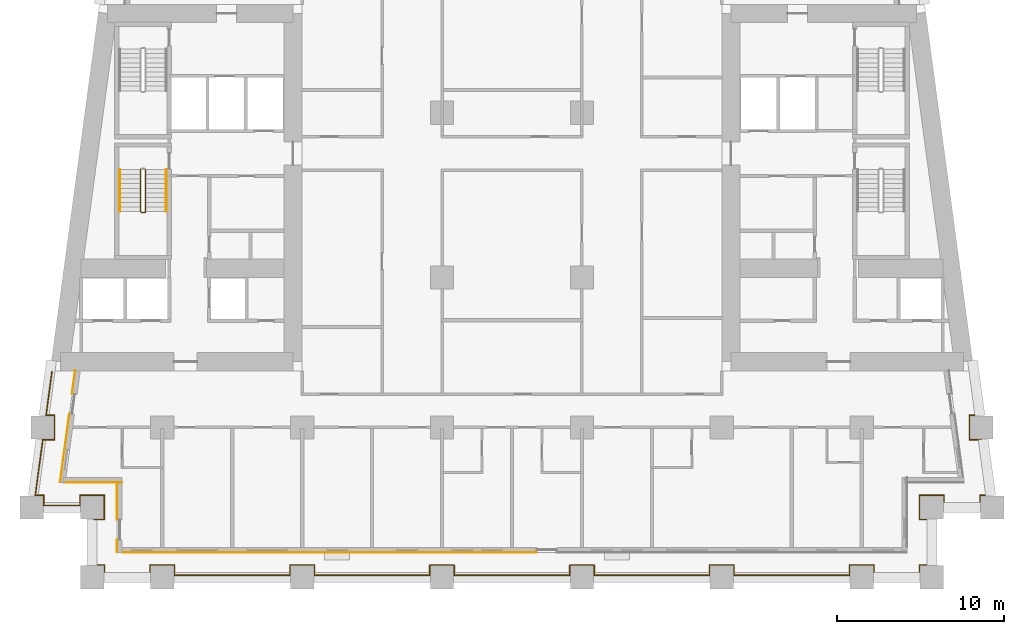
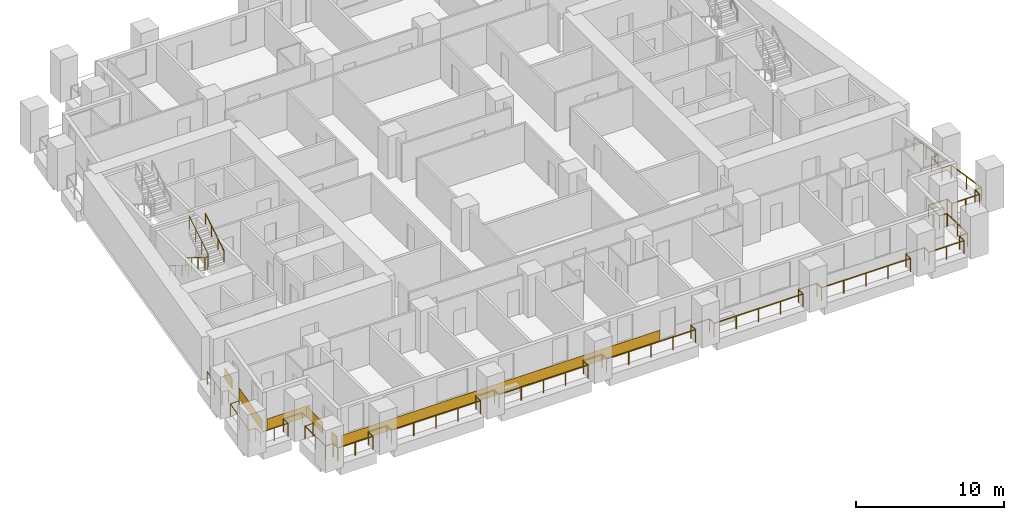
# One storey, part 8 of 12: 6 coverings, 5 railings.
"""IFC4 building model written with IfcOpenShell, lengths in metres."""

import ifcopenshell
import ifcopenshell.guid

model = None  # the IFC model being written
_history = None  # IfcOwnerHistory: only IFC2X3 demands one
_inside = {}  # id of a spatial element -> (the spatial element, [elements in it])
_under = {}  # id of a project, library or spatial element -> (it, [spatial elements below it])
_declared = {}  # id of a project -> (the project, [libraries it declares])
_typed = {}  # id of a type object -> (the type object, [elements of that type])
_made_of = {}  # id of a material, layer set ... -> (it, [elements and type objects made of it])


def new_model(schema):
    """Start an empty IFC model of exactly this schema.

    Asked for "IFC4X3", IfcOpenShell would pick the latest addendum, in which some entities
    have other attributes; the version numbers below select the first issue.
    IFC2X3 requires an IfcOwnerHistory on every rooted entity: one is made here for all.
    """
    global model, _history
    if schema == "IFC4X3":
        model = ifcopenshell.file(schema_version=(4, 3, 0, 0))
    else:
        model = ifcopenshell.file(schema=schema)
    _inside.clear()
    _under.clear()
    _declared.clear()
    _typed.clear()
    _made_of.clear()
    _history = None
    if model.schema == "IFC2X3":
        org = make("IfcOrganization", Name="unknown")
        user = make(
            "IfcPersonAndOrganization",
            ThePerson=make("IfcPerson", FamilyName="unknown"),
            TheOrganization=org,
        )
        app = make(
            "IfcApplication",
            ApplicationDeveloper=org,
            Version="unknown",
            ApplicationFullName="unknown",
            ApplicationIdentifier="unknown",
        )
        _history = make(
            "IfcOwnerHistory",
            OwningUser=user,
            OwningApplication=app,
            ChangeAction="ADDED",
            CreationDate=0,
        )
    return model


def make(cls, **values):
    """One entity of the class cls with the attributes given. An attribute that is None is left unset."""
    return model.create_entity(
        cls, **{name: value for name, value in values.items() if value is not None}
    )


def rooted(cls, **values):
    """An entity with a GlobalId (a new one), such as an element, a storey or a relation."""
    return make(cls, GlobalId=ifcopenshell.guid.new(), OwnerHistory=_history, **values)


def si_unit(unit_type, name, prefix=None):
    """IfcSIUnit, for example si_unit("LENGTHUNIT", "METRE", prefix="MILLI")."""
    return make("IfcSIUnit", UnitType=unit_type, Prefix=prefix, Name=name)


def assignment(units):
    """IfcUnitAssignment: the units of a project."""
    return None if units is None else make("IfcUnitAssignment", Units=units)


def point(xyz):
    """IfcCartesianPoint."""
    return None if xyz is None else make("IfcCartesianPoint", Coordinates=xyz)


def direction(xyz):
    """IfcDirection."""
    return None if xyz is None else make("IfcDirection", DirectionRatios=xyz)


def frame(location, z_axis=None, x_axis=None):
    """IfcAxis2Placement3D, a coordinate frame: its origin and axes. An axis left out is left unset."""
    return make(
        "IfcAxis2Placement3D",
        Location=point(location),
        Axis=direction(z_axis),
        RefDirection=direction(x_axis),
    )


def frame_2d(location, x_axis=None):
    """IfcAxis2Placement2D, a coordinate frame in the plane: its origin and x axis."""
    return make(
        "IfcAxis2Placement2D", Location=point(location), RefDirection=direction(x_axis)
    )


def origin():
    """The frame at (0, 0, 0) with its axes left unset."""
    return frame((0.0, 0.0, 0.0))


def origin_2d():
    """The frame at (0, 0) in the plane with its x axis left unset."""
    return frame_2d((0.0, 0.0))


def place(relative_to, where):
    """IfcLocalPlacement: puts the frame where relative to a parent placement (None: the world)."""
    return make(
        "IfcLocalPlacement", PlacementRelTo=relative_to, RelativePlacement=where
    )


def context(
    kind, dimensions, precision=None, world=None, true_north=None, identifier=None
):
    """IfcGeometricRepresentationContext, for example the 3D "Model" context."""
    return make(
        "IfcGeometricRepresentationContext",
        ContextIdentifier=identifier,
        ContextType=kind,
        CoordinateSpaceDimension=dimensions,
        Precision=precision,
        WorldCoordinateSystem=world,
        TrueNorth=true_north,
    )


def subcontext(parent, identifier, kind, view, scale=None):
    """IfcGeometricRepresentationSubContext, for example "Body" below "Model"."""
    return make(
        "IfcGeometricRepresentationSubContext",
        ContextIdentifier=identifier,
        ContextType=kind,
        ParentContext=parent,
        TargetScale=scale,
        TargetView=view,
    )


def project(units=None, contexts=None):
    """IfcProject with its units and contexts."""
    return rooted(
        "IfcProject",
        Name="project",
        RepresentationContexts=contexts,
        UnitsInContext=assignment(units),
    )


def spatial(cls, under=None, at=None, **own):
    """A site, building, storey or space (cls), placed at a placement, below another one or the project."""
    s = rooted(cls, ObjectPlacement=at, **own)
    if under is not None:
        _under.setdefault(under.id(), (under, []))[1].append(s)
    return s


def profile(cls, at=None, kind="AREA", **sizes):
    """A parametric profile (cls). Its sizes go by their IFC names, for example OverallWidth=200.0."""
    return make(cls, ProfileType=kind, Position=at, **sizes)


def rectangle(**sizes):
    """IfcRectangleProfileDef."""
    return profile("IfcRectangleProfileDef", **sizes)


def circle(**sizes):
    """IfcCircleProfileDef."""
    return profile("IfcCircleProfileDef", **sizes)


def extrude(swept, where, along, depth):
    """IfcExtrudedAreaSolid: the profile swept, set in the frame where, extruded along a direction by depth."""
    return make(
        "IfcExtrudedAreaSolid",
        SweptArea=swept,
        Position=where,
        ExtrudedDirection=direction(along),
        Depth=depth,
    )


def shape(context_of_items, identifier, shape_type, items):
    """IfcShapeRepresentation: the items that make up one representation, for example the "Body"."""
    return make(
        "IfcShapeRepresentation",
        ContextOfItems=context_of_items,
        RepresentationIdentifier=identifier,
        RepresentationType=shape_type,
        Items=items,
    )


def material(Name=None, Category=None):
    """IfcMaterial."""
    return make("IfcMaterial", Name=Name, Category=Category)


def layer(
    of_material, thickness, ventilated=None, Name=None, Category=None, Priority=None
):
    """IfcMaterialLayer: one layer of a wall or slab, of a material (None: an air gap)."""
    return make(
        "IfcMaterialLayer",
        Material=of_material,
        LayerThickness=thickness,
        IsVentilated=ventilated,
        Name=Name,
        Category=Category,
        Priority=Priority,
    )


def layer_set(layers, Name=None):
    """IfcMaterialLayerSet."""
    return make("IfcMaterialLayerSet", MaterialLayers=layers, LayerSetName=Name)


def made_of(thing, what):
    """Note that an element or type object is made of a material, layer set ...; save() writes the relation."""
    if what is not None:
        _made_of.setdefault(what.id(), (what, []))[1].append(thing)
    return thing


def type_object(cls, material=None, **own):
    """A type object (cls), such as IfcWallType, which elements share."""
    return made_of(rooted(cls, **own), material)


def element(
    cls,
    number,
    at=None,
    inside=None,
    cuts=None,
    type_object=None,
    material=None,
    context=None,
    identifier="Body",
    shape_type=None,
    held_by="IfcProductDefinitionShape",
    body=None,
    shapes=None,
    **own,
):
    """One element of the class cls, such as IfcWall. Its Tag is "e" and its number.

    at: its placement. inside: the storey or other place that contains it. cuts: it is an
    opening in that element (IfcRelVoidsElement). A single representation is given by context,
    identifier, shape_type and body (its items); several are given by shapes. held_by: the class
    of the entity that holds the representations. save() writes the other relations.
    """
    e = rooted(cls, Tag="e%d" % number, ObjectPlacement=at, **own)
    if body is not None:
        shapes = [shape(context, identifier, shape_type, body)]
    if shapes is not None:
        e.Representation = make(held_by, Representations=shapes)
    if inside is not None:
        _inside.setdefault(inside.id(), (inside, []))[1].append(e)
    if cuts is not None:
        rooted(
            "IfcRelVoidsElement", RelatingBuildingElement=cuts, RelatedOpeningElement=e
        )
    if type_object is not None:
        _typed.setdefault(type_object.id(), (type_object, []))[1].append(e)
    return made_of(e, material)


def aggregate(whole, parts):
    """IfcRelAggregates: a whole, such as a stair, and the parts it consists of."""
    return rooted("IfcRelAggregates", RelatingObject=whole, RelatedObjects=parts)


def save(model, path):
    """Write the relations noted so far, then the file.

    IfcRelAggregates (storeys below a building ...), IfcRelContainedInSpatialStructure (elements
    in a storey), IfcRelDefinesByType, IfcRelAssociatesMaterial and IfcRelDeclares: one each for
    every whole, place, type object, material and project.
    """
    for whole, parts in _under.values():
        aggregate(whole, parts)
    for where, things in _inside.values():
        rooted(
            "IfcRelContainedInSpatialStructure",
            RelatedElements=things,
            RelatingStructure=where,
        )
    for kind, things in _typed.values():
        rooted("IfcRelDefinesByType", RelatedObjects=things, RelatingType=kind)
    for what, things in _made_of.values():
        rooted("IfcRelAssociatesMaterial", RelatedObjects=things, RelatingMaterial=what)
    for by, libraries in _declared.values():
        rooted("IfcRelDeclares", RelatingContext=by, RelatedDefinitions=libraries)
    model.write(path)


model = new_model("IFC4")

# Units and contexts
model_context = context("Model", 3, precision=1e-05, world=origin(), true_north=direction((0.0, 1.0)))
body_context = subcontext(model_context, "Body", "Model", "MODEL_VIEW")
ifc_project = project(units=[si_unit("LENGTHUNIT", "METRE"), si_unit("AREAUNIT", "SQUARE_METRE"), si_unit("VOLUMEUNIT", "CUBIC_METRE"), si_unit("PLANEANGLEUNIT", "RADIAN"), si_unit("MASSUNIT", "GRAM", prefix="KILO")], contexts=[model_context])

# Site, building, storey
site_placement = place(None, origin())
site = spatial("IfcSite", under=ifc_project, at=site_placement, CompositionType="ELEMENT")
building_placement = place(site_placement, origin())
building = spatial("IfcBuilding", under=site, at=building_placement, Name="Candeia Pilgrim Tower and Theatre", CompositionType="ELEMENT")
storey_placement = place(building_placement, frame((0.0, 0.0, 46.0)))
storey = spatial("IfcBuildingStorey", under=building, at=storey_placement, Name="L08", CompositionType="ELEMENT", Elevation=46.0)

# Railings
ifc_material_1 = material(Name="Stainless steel balustrade", Category="steel")
railing_type_1 = type_object("IfcRailingType", Name="G1 loggia guard 1100", PredefinedType="GUARDRAIL", material=ifc_material_1)
railing_1_placement = place(storey_placement, frame((88.320068359375, 101.469970703125, 0.0)))
element("IfcRailing", 1, at=railing_1_placement, inside=storey, type_object=railing_type_1, Name="Guard L08.1", PredefinedType="GUARDRAIL", context=body_context, shape_type="SweptSolid", body=[
    extrude(circle(Radius=0.02392578125, at=origin_2d()), frame((0.0, 0.0, 1.076171875), z_axis=(1.0, 0.0, 0.0), x_axis=(0.0, 1.0, 0.0)), (0.0, 0.0, 1.0), 0.60986328125),
    extrude(circle(Radius=0.02392578125, at=origin_2d()), frame((0.60986328125, 0.0, 1.076171875), z_axis=(0.0, 1.0, 0.0), x_axis=(-1.0, 0.0, 0.0)), (0.0, 0.0, 1.0), 1.4599609375),
    extrude(circle(Radius=0.02392578125, at=origin_2d()), frame((0.60986328125, 1.4599609375, 1.076171875), z_axis=(-1.0, 0.0, 0.0), x_axis=(0.0, -1.0, 0.0)), (0.0, 0.0, 1.0), 1.4599609375),
    extrude(circle(Radius=0.02392578125, at=origin_2d()), frame((-0.85009765625, 1.4599609375, 1.076171875), z_axis=(0.0, -1.0, 0.0), x_axis=(1.0, 0.0, 0.0)), (0.0, 0.0, 1.0), 0.60986328125),
    extrude(circle(Radius=0.02392578125, at=origin_2d()), frame((-0.85009765625, 0.85009765625, 1.076171875), z_axis=(-1.0, 0.0, 0.0), x_axis=(0.0, -1.0, 0.0)), (0.0, 0.0, 1.0), 2.174560546875),
    extrude(circle(Radius=0.02392578125, at=origin_2d()), frame((-3.024658203125, 0.85009765625, 1.076171875), z_axis=(0.0, 1.0, 0.0), x_axis=(-1.0, 0.0, 0.0)), (0.0, 0.0, 1.0), 0.60986328125),
    extrude(circle(Radius=0.02392578125, at=origin_2d()), frame((-3.024658203125, 1.4599609375, 1.076171875), z_axis=(-1.0, 0.0, 0.0), x_axis=(0.0, -1.0, 0.0)), (0.0, 0.0, 1.0), 0.5107421875),
    extrude(circle(Radius=0.02392578125, at=origin_2d()), frame((-3.535400390625, 1.4599609375, 1.076171875), z_axis=(0.133435273035, 0.991057530071, 0.0), x_axis=(-0.991057530071, 0.133435273035, 0.0)), (0.0, 0.0, 1.0), 3.3701171875),
    extrude(circle(Radius=0.02392578125, at=origin_2d()), frame((-3.085693359375, 4.800048828125, 1.076171875), z_axis=(1.0, 0.0, 0.0), x_axis=(0.0, 1.0, 0.0)), (0.0, 0.0, 1.0), 0.707275390625),
    extrude(circle(Radius=0.02392578125, at=origin_2d()), frame((-2.37841796875, 4.800048828125, 1.076171875), z_axis=(0.0, 1.0, 0.0), x_axis=(-1.0, 0.0, 0.0)), (0.0, 0.0, 1.0), 1.4599609375),
    extrude(circle(Radius=0.02392578125, at=origin_2d()), frame((-2.37841796875, 6.260009765625, 1.076171875), z_axis=(-1.0, 0.0, 0.0), x_axis=(0.0, -1.0, 0.0)), (0.0, 0.0, 1.0), 0.5107421875),
    extrude(circle(Radius=0.02392578125, at=origin_2d()), frame((-2.88916015625, 6.260009765625, 1.076171875), z_axis=(0.133439920495, 0.991056904329, 0.0), x_axis=(-0.991056904329, 0.133439920495, 0.0)), (0.0, 0.0, 1.0), 2.643798828125),
    extrude(circle(Radius=0.02099609375, at=origin_2d()), origin(), (0.0, 0.0, 1.0), 1.052001953125),
    extrude(circle(Radius=0.02099609375, at=origin_2d()), frame((0.60986328125, 0.0, 0.0)), (0.0, 0.0, 1.0), 1.052001953125),
    extrude(circle(Radius=0.02099609375, at=origin_2d()), frame((0.60986328125, 1.4599609375, 0.0)), (0.0, 0.0, 1.0), 1.052001953125),
    extrude(circle(Radius=0.02099609375, at=origin_2d()), frame((-0.85009765625, 1.4599609375, 0.0)), (0.0, 0.0, 1.0), 1.052001953125),
    extrude(circle(Radius=0.02099609375, at=origin_2d()), frame((-0.85009765625, 0.85009765625, 0.0)), (0.0, 0.0, 1.0), 1.052001953125),
    extrude(circle(Radius=0.02099609375, at=origin_2d()), frame((-1.9375, 0.85009765625, 0.0)), (0.0, 0.0, 1.0), 1.052001953125),
    extrude(circle(Radius=0.02099609375, at=origin_2d()), frame((-3.024658203125, 0.85009765625, 0.0)), (0.0, 0.0, 1.0), 1.052001953125),
    extrude(circle(Radius=0.02099609375, at=origin_2d()), frame((-3.024658203125, 1.4599609375, 0.0)), (0.0, 0.0, 1.0), 1.052001953125),
    extrude(circle(Radius=0.02099609375, at=origin_2d()), frame((-3.535400390625, 1.4599609375, 0.0)), (0.0, 0.0, 1.0), 1.052001953125),
    extrude(circle(Radius=0.02099609375, at=origin_2d()), frame((-3.310546875, 3.1298828125, 0.0)), (0.0, 0.0, 1.0), 1.052001953125),
    extrude(circle(Radius=0.02099609375, at=origin_2d()), frame((-3.085693359375, 4.800048828125, 0.0)), (0.0, 0.0, 1.0), 1.052001953125),
    extrude(circle(Radius=0.02099609375, at=origin_2d()), frame((-2.37841796875, 4.800048828125, 0.0)), (0.0, 0.0, 1.0), 1.052001953125),
    extrude(circle(Radius=0.02099609375, at=origin_2d()), frame((-2.37841796875, 6.260009765625, 0.0)), (0.0, 0.0, 1.0), 1.052001953125),
    extrude(circle(Radius=0.02099609375, at=origin_2d()), frame((-2.88916015625, 6.260009765625, 0.0)), (0.0, 0.0, 1.0), 1.052001953125),
    extrude(circle(Radius=0.02099609375, at=origin_2d()), frame((-2.712890625, 7.570068359375, 0.0)), (0.0, 0.0, 1.0), 1.052001953125),
    extrude(circle(Radius=0.02099609375, at=origin_2d()), frame((-2.536376953125, 8.880126953125, 0.0)), (0.0, 0.0, 1.0), 1.052001953125),
])
railing_2_placement = place(storey_placement, frame((141.016357421875, 110.35009765625, 0.0)))
element("IfcRailing", 2, at=railing_2_placement, inside=storey, type_object=railing_type_1, Name="Guard L08.4", PredefinedType="GUARDRAIL", context=body_context, shape_type="SweptSolid", body=[
    extrude(circle(Radius=0.02392578125, at=origin_2d()), frame((0.0, 0.0, 1.076171875), z_axis=(0.133439920495, -0.991056904329, 0.0), x_axis=(0.991056904329, 0.133439920495, 0.0)), (0.0, 0.0, 1.0), 2.643798828125),
    extrude(circle(Radius=0.02392578125, at=origin_2d()), frame((0.352783203125, -2.6201171875, 1.076171875), z_axis=(-1.0, 0.0, 0.0), x_axis=(0.0, -1.0, 0.0)), (0.0, 0.0, 1.0), 0.5107421875),
    extrude(circle(Radius=0.02392578125, at=origin_2d()), frame((-0.157958984375, -2.6201171875, 1.076171875), z_axis=(0.0, -1.0, 0.0), x_axis=(1.0, 0.0, 0.0)), (0.0, 0.0, 1.0), 1.4599609375),
    extrude(circle(Radius=0.02392578125, at=origin_2d()), frame((-0.157958984375, -4.080078125, 1.076171875), z_axis=(1.0, 0.0, 0.0), x_axis=(0.0, 1.0, 0.0)), (0.0, 0.0, 1.0), 0.707275390625),
    extrude(circle(Radius=0.02392578125, at=origin_2d()), frame((0.54931640625, -4.080078125, 1.076171875), z_axis=(0.133435273035, -0.991057530071, 0.0), x_axis=(0.991057530071, 0.133435273035, 0.0)), (0.0, 0.0, 1.0), 3.3701171875),
    extrude(circle(Radius=0.02392578125, at=origin_2d()), frame((0.9990234375, -7.420166015625, 1.076171875), z_axis=(-1.0, 0.0, 0.0), x_axis=(0.0, -1.0, 0.0)), (0.0, 0.0, 1.0), 0.5107421875),
    extrude(circle(Radius=0.02392578125, at=origin_2d()), frame((0.48828125, -7.420166015625, 1.076171875), z_axis=(0.0, -1.0, 0.0), x_axis=(1.0, 0.0, 0.0)), (0.0, 0.0, 1.0), 0.60986328125),
    extrude(circle(Radius=0.02392578125, at=origin_2d()), frame((0.48828125, -8.030029296875, 1.076171875), z_axis=(-1.0, 0.0, 0.0), x_axis=(0.0, -1.0, 0.0)), (0.0, 0.0, 1.0), 2.174560546875),
    extrude(circle(Radius=0.02392578125, at=origin_2d()), frame((-1.686279296875, -8.030029296875, 1.076171875), z_axis=(0.0, 1.0, 0.0), x_axis=(-1.0, 0.0, 0.0)), (0.0, 0.0, 1.0), 0.60986328125),
    extrude(circle(Radius=0.02392578125, at=origin_2d()), frame((-1.686279296875, -7.420166015625, 1.076171875), z_axis=(-1.0, 0.0, 0.0), x_axis=(0.0, -1.0, 0.0)), (0.0, 0.0, 1.0), 1.4599609375),
    extrude(circle(Radius=0.02392578125, at=origin_2d()), frame((-3.146240234375, -7.420166015625, 1.076171875), z_axis=(0.0, -1.0, 0.0), x_axis=(1.0, 0.0, 0.0)), (0.0, 0.0, 1.0), 1.4599609375),
    extrude(circle(Radius=0.02392578125, at=origin_2d()), frame((-3.146240234375, -8.880126953125, 1.076171875), z_axis=(1.0, 0.0, 0.0), x_axis=(0.0, 1.0, 0.0)), (0.0, 0.0, 1.0), 0.60986328125),
    extrude(circle(Radius=0.02392578125, at=origin_2d()), frame((-2.536376953125, -8.880126953125, 1.076171875), z_axis=(0.0, -1.0, 0.0), x_axis=(1.0, 0.0, 0.0)), (0.0, 0.0, 1.0), 2.739990234375),
    extrude(circle(Radius=0.02392578125, at=origin_2d()), frame((-2.536376953125, -11.6201171875, 1.076171875), z_axis=(-1.0, 0.0, 0.0), x_axis=(0.0, -1.0, 0.0)), (0.0, 0.0, 1.0), 0.60986328125),
    extrude(circle(Radius=0.02392578125, at=origin_2d()), frame((-3.146240234375, -11.6201171875, 1.076171875), z_axis=(0.0, -1.0, 0.0), x_axis=(1.0, 0.0, 0.0)), (0.0, 0.0, 1.0), 0.60986328125),
    extrude(circle(Radius=0.02392578125, at=origin_2d()), frame((-3.146240234375, -12.22998046875, 1.076171875), z_axis=(-1.0, 0.0, 0.0), x_axis=(0.0, -1.0, 0.0)), (0.0, 0.0, 1.0), 2.740234375),
    extrude(circle(Radius=0.02392578125, at=origin_2d()), frame((-5.886474609375, -12.22998046875, 1.076171875), z_axis=(0.0, 1.0, 0.0), x_axis=(-1.0, 0.0, 0.0)), (0.0, 0.0, 1.0), 0.60986328125),
    extrude(circle(Radius=0.02392578125, at=origin_2d()), frame((-5.886474609375, -11.6201171875, 1.076171875), z_axis=(-1.0, 0.0, 0.0), x_axis=(0.0, -1.0, 0.0)), (0.0, 0.0, 1.0), 1.4599609375),
    extrude(circle(Radius=0.02392578125, at=origin_2d()), frame((-7.346435546875, -11.6201171875, 1.076171875), z_axis=(0.0, -1.0, 0.0), x_axis=(1.0, 0.0, 0.0)), (0.0, 0.0, 1.0), 0.60986328125),
    extrude(circle(Radius=0.02392578125, at=origin_2d()), frame((-7.346435546875, -12.22998046875, 1.076171875), z_axis=(-1.0, 0.0, 0.0), x_axis=(0.0, -1.0, 0.0)), (0.0, 0.0, 1.0), 6.93994140625),
    extrude(circle(Radius=0.02392578125, at=origin_2d()), frame((-14.286376953125, -12.22998046875, 1.076171875), z_axis=(0.0, 1.0, 0.0), x_axis=(-1.0, 0.0, 0.0)), (0.0, 0.0, 1.0), 0.60986328125),
    extrude(circle(Radius=0.02392578125, at=origin_2d()), frame((-14.286376953125, -11.6201171875, 1.076171875), z_axis=(-1.0, 0.0, 0.0), x_axis=(0.0, -1.0, 0.0)), (0.0, 0.0, 1.0), 1.4599609375),
    extrude(circle(Radius=0.02392578125, at=origin_2d()), frame((-15.746337890625, -11.6201171875, 1.076171875), z_axis=(0.0, -1.0, 0.0), x_axis=(1.0, 0.0, 0.0)), (0.0, 0.0, 1.0), 0.60986328125),
    extrude(circle(Radius=0.02392578125, at=origin_2d()), frame((-15.746337890625, -12.22998046875, 1.076171875), z_axis=(-1.0, 0.0, 0.0), x_axis=(0.0, -1.0, 0.0)), (0.0, 0.0, 1.0), 6.93994140625),
    extrude(circle(Radius=0.02392578125, at=origin_2d()), frame((-22.686279296875, -12.22998046875, 1.076171875), z_axis=(0.0, 1.0, 0.0), x_axis=(-1.0, 0.0, 0.0)), (0.0, 0.0, 1.0), 0.60986328125),
    extrude(circle(Radius=0.02392578125, at=origin_2d()), frame((-22.686279296875, -11.6201171875, 1.076171875), z_axis=(-1.0, 0.0, 0.0), x_axis=(0.0, -1.0, 0.0)), (0.0, 0.0, 1.0), 1.4599609375),
    extrude(circle(Radius=0.02392578125, at=origin_2d()), frame((-24.146240234375, -11.6201171875, 1.076171875), z_axis=(0.0, -1.0, 0.0), x_axis=(1.0, 0.0, 0.0)), (0.0, 0.0, 1.0), 0.60986328125),
    extrude(circle(Radius=0.02392578125, at=origin_2d()), frame((-24.146240234375, -12.22998046875, 1.076171875), z_axis=(-1.0, 0.0, 0.0), x_axis=(0.0, -1.0, 0.0)), (0.0, 0.0, 1.0), 6.940185546875),
    extrude(circle(Radius=0.02392578125, at=origin_2d()), frame((-31.08642578125, -12.22998046875, 1.076171875), z_axis=(0.0, 1.0, 0.0), x_axis=(-1.0, 0.0, 0.0)), (0.0, 0.0, 1.0), 0.60986328125),
    extrude(circle(Radius=0.02392578125, at=origin_2d()), frame((-31.08642578125, -11.6201171875, 1.076171875), z_axis=(-1.0, 0.0, 0.0), x_axis=(0.0, -1.0, 0.0)), (0.0, 0.0, 1.0), 1.4599609375),
    extrude(circle(Radius=0.02392578125, at=origin_2d()), frame((-32.54638671875, -11.6201171875, 1.076171875), z_axis=(0.0, -1.0, 0.0), x_axis=(1.0, 0.0, 0.0)), (0.0, 0.0, 1.0), 0.60986328125),
    extrude(circle(Radius=0.02392578125, at=origin_2d()), frame((-32.54638671875, -12.22998046875, 1.076171875), z_axis=(-1.0, 0.0, 0.0), x_axis=(0.0, -1.0, 0.0)), (0.0, 0.0, 1.0), 6.93994140625),
    extrude(circle(Radius=0.02392578125, at=origin_2d()), frame((-39.486328125, -12.22998046875, 1.076171875), z_axis=(0.0, 1.0, 0.0), x_axis=(-1.0, 0.0, 0.0)), (0.0, 0.0, 1.0), 0.60986328125),
    extrude(circle(Radius=0.02392578125, at=origin_2d()), frame((-39.486328125, -11.6201171875, 1.076171875), z_axis=(-1.0, 0.0, 0.0), x_axis=(0.0, -1.0, 0.0)), (0.0, 0.0, 1.0), 1.4599609375),
    extrude(circle(Radius=0.02392578125, at=origin_2d()), frame((-40.9462890625, -11.6201171875, 1.076171875), z_axis=(0.0, -1.0, 0.0), x_axis=(1.0, 0.0, 0.0)), (0.0, 0.0, 1.0), 0.60986328125),
    extrude(circle(Radius=0.02392578125, at=origin_2d()), frame((-40.9462890625, -12.22998046875, 1.076171875), z_axis=(-1.0, 0.0, 0.0), x_axis=(0.0, -1.0, 0.0)), (0.0, 0.0, 1.0), 6.940185546875),
    extrude(circle(Radius=0.02392578125, at=origin_2d()), frame((-47.886474609375, -12.22998046875, 1.076171875), z_axis=(0.0, 1.0, 0.0), x_axis=(-1.0, 0.0, 0.0)), (0.0, 0.0, 1.0), 0.60986328125),
    extrude(circle(Radius=0.02392578125, at=origin_2d()), frame((-47.886474609375, -11.6201171875, 1.076171875), z_axis=(-1.0, 0.0, 0.0), x_axis=(0.0, -1.0, 0.0)), (0.0, 0.0, 1.0), 1.4599609375),
    extrude(circle(Radius=0.02392578125, at=origin_2d()), frame((-49.346435546875, -11.6201171875, 1.076171875), z_axis=(0.0, -1.0, 0.0), x_axis=(1.0, 0.0, 0.0)), (0.0, 0.0, 1.0), 0.60986328125),
    extrude(circle(Radius=0.02392578125, at=origin_2d()), frame((-49.346435546875, -12.22998046875, 1.076171875), z_axis=(-1.0, 0.0, 0.0), x_axis=(0.0, -1.0, 0.0)), (0.0, 0.0, 1.0), 2.739990234375),
    extrude(circle(Radius=0.02392578125, at=origin_2d()), frame((-52.08642578125, -12.22998046875, 1.076171875), z_axis=(0.0, 1.0, 0.0), x_axis=(-1.0, 0.0, 0.0)), (0.0, 0.0, 1.0), 0.60986328125),
    extrude(circle(Radius=0.02392578125, at=origin_2d()), frame((-52.08642578125, -11.6201171875, 1.076171875), z_axis=(-1.0, 0.0, 0.0), x_axis=(0.0, -1.0, 0.0)), (0.0, 0.0, 1.0), 0.60986328125),
    extrude(circle(Radius=0.02392578125, at=origin_2d()), frame((-52.6962890625, -11.6201171875, 1.076171875), z_axis=(0.0, 1.0, 0.0), x_axis=(-1.0, 0.0, 0.0)), (0.0, 0.0, 1.0), 2.739990234375),
    extrude(circle(Radius=0.02099609375, at=origin_2d()), origin(), (0.0, 0.0, 1.0), 1.052001953125),
    extrude(circle(Radius=0.02099609375, at=origin_2d()), frame((0.17626953125, -1.31005859375, 0.0)), (0.0, 0.0, 1.0), 1.052001953125),
    extrude(circle(Radius=0.02099609375, at=origin_2d()), frame((0.352783203125, -2.6201171875, 0.0)), (0.0, 0.0, 1.0), 1.052001953125),
    extrude(circle(Radius=0.02099609375, at=origin_2d()), frame((-0.157958984375, -2.6201171875, 0.0)), (0.0, 0.0, 1.0), 1.052001953125),
    extrude(circle(Radius=0.02099609375, at=origin_2d()), frame((-0.157958984375, -4.080078125, 0.0)), (0.0, 0.0, 1.0), 1.052001953125),
    extrude(circle(Radius=0.02099609375, at=origin_2d()), frame((0.54931640625, -4.080078125, 0.0)), (0.0, 0.0, 1.0), 1.052001953125),
    extrude(circle(Radius=0.02099609375, at=origin_2d()), frame((0.774169921875, -5.75, 0.0)), (0.0, 0.0, 1.0), 1.052001953125),
    extrude(circle(Radius=0.02099609375, at=origin_2d()), frame((0.9990234375, -7.420166015625, 0.0)), (0.0, 0.0, 1.0), 1.052001953125),
    extrude(circle(Radius=0.02099609375, at=origin_2d()), frame((0.48828125, -7.420166015625, 0.0)), (0.0, 0.0, 1.0), 1.052001953125),
    extrude(circle(Radius=0.02099609375, at=origin_2d()), frame((0.48828125, -8.030029296875, 0.0)), (0.0, 0.0, 1.0), 1.052001953125),
    extrude(circle(Radius=0.02099609375, at=origin_2d()), frame((-0.59912109375, -8.030029296875, 0.0)), (0.0, 0.0, 1.0), 1.052001953125),
    extrude(circle(Radius=0.02099609375, at=origin_2d()), frame((-1.686279296875, -8.030029296875, 0.0)), (0.0, 0.0, 1.0), 1.052001953125),
    extrude(circle(Radius=0.02099609375, at=origin_2d()), frame((-1.686279296875, -7.420166015625, 0.0)), (0.0, 0.0, 1.0), 1.052001953125),
    extrude(circle(Radius=0.02099609375, at=origin_2d()), frame((-3.146240234375, -7.420166015625, 0.0)), (0.0, 0.0, 1.0), 1.052001953125),
    extrude(circle(Radius=0.02099609375, at=origin_2d()), frame((-3.146240234375, -8.880126953125, 0.0)), (0.0, 0.0, 1.0), 1.052001953125),
    extrude(circle(Radius=0.02099609375, at=origin_2d()), frame((-2.536376953125, -8.880126953125, 0.0)), (0.0, 0.0, 1.0), 1.052001953125),
    extrude(circle(Radius=0.02099609375, at=origin_2d()), frame((-2.536376953125, -10.25, 0.0)), (0.0, 0.0, 1.0), 1.052001953125),
    extrude(circle(Radius=0.02099609375, at=origin_2d()), frame((-2.536376953125, -11.6201171875, 0.0)), (0.0, 0.0, 1.0), 1.052001953125),
    extrude(circle(Radius=0.02099609375, at=origin_2d()), frame((-3.146240234375, -11.6201171875, 0.0)), (0.0, 0.0, 1.0), 1.052001953125),
    extrude(circle(Radius=0.02099609375, at=origin_2d()), frame((-3.146240234375, -12.22998046875, 0.0)), (0.0, 0.0, 1.0), 1.052001953125),
    extrude(circle(Radius=0.02099609375, at=origin_2d()), frame((-4.516357421875, -12.22998046875, 0.0)), (0.0, 0.0, 1.0), 1.052001953125),
    extrude(circle(Radius=0.02099609375, at=origin_2d()), frame((-5.886474609375, -12.22998046875, 0.0)), (0.0, 0.0, 1.0), 1.052001953125),
    extrude(circle(Radius=0.02099609375, at=origin_2d()), frame((-5.886474609375, -11.6201171875, 0.0)), (0.0, 0.0, 1.0), 1.052001953125),
    extrude(circle(Radius=0.02099609375, at=origin_2d()), frame((-7.346435546875, -11.6201171875, 0.0)), (0.0, 0.0, 1.0), 1.052001953125),
    extrude(circle(Radius=0.02099609375, at=origin_2d()), frame((-7.346435546875, -12.22998046875, 0.0)), (0.0, 0.0, 1.0), 1.052001953125),
    extrude(circle(Radius=0.02099609375, at=origin_2d()), frame((-9.08154296875, -12.22998046875, 0.0)), (0.0, 0.0, 1.0), 1.052001953125),
    extrude(circle(Radius=0.02099609375, at=origin_2d()), frame((-10.81640625, -12.22998046875, 0.0)), (0.0, 0.0, 1.0), 1.052001953125),
    extrude(circle(Radius=0.02099609375, at=origin_2d()), frame((-12.55126953125, -12.22998046875, 0.0)), (0.0, 0.0, 1.0), 1.052001953125),
    extrude(circle(Radius=0.02099609375, at=origin_2d()), frame((-14.286376953125, -12.22998046875, 0.0)), (0.0, 0.0, 1.0), 1.052001953125),
    extrude(circle(Radius=0.02099609375, at=origin_2d()), frame((-14.286376953125, -11.6201171875, 0.0)), (0.0, 0.0, 1.0), 1.052001953125),
    extrude(circle(Radius=0.02099609375, at=origin_2d()), frame((-15.746337890625, -11.6201171875, 0.0)), (0.0, 0.0, 1.0), 1.052001953125),
    extrude(circle(Radius=0.02099609375, at=origin_2d()), frame((-15.746337890625, -12.22998046875, 0.0)), (0.0, 0.0, 1.0), 1.052001953125),
    extrude(circle(Radius=0.02099609375, at=origin_2d()), frame((-17.4814453125, -12.22998046875, 0.0)), (0.0, 0.0, 1.0), 1.052001953125),
    extrude(circle(Radius=0.02099609375, at=origin_2d()), frame((-19.21630859375, -12.22998046875, 0.0)), (0.0, 0.0, 1.0), 1.052001953125),
    extrude(circle(Radius=0.02099609375, at=origin_2d()), frame((-20.951171875, -12.22998046875, 0.0)), (0.0, 0.0, 1.0), 1.052001953125),
    extrude(circle(Radius=0.02099609375, at=origin_2d()), frame((-22.686279296875, -12.22998046875, 0.0)), (0.0, 0.0, 1.0), 1.052001953125),
    extrude(circle(Radius=0.02099609375, at=origin_2d()), frame((-22.686279296875, -11.6201171875, 0.0)), (0.0, 0.0, 1.0), 1.052001953125),
    extrude(circle(Radius=0.02099609375, at=origin_2d()), frame((-24.146240234375, -11.6201171875, 0.0)), (0.0, 0.0, 1.0), 1.052001953125),
    extrude(circle(Radius=0.02099609375, at=origin_2d()), frame((-24.146240234375, -12.22998046875, 0.0)), (0.0, 0.0, 1.0), 1.052001953125),
    extrude(circle(Radius=0.02099609375, at=origin_2d()), frame((-25.88134765625, -12.22998046875, 0.0)), (0.0, 0.0, 1.0), 1.052001953125),
    extrude(circle(Radius=0.02099609375, at=origin_2d()), frame((-27.6162109375, -12.22998046875, 0.0)), (0.0, 0.0, 1.0), 1.052001953125),
    extrude(circle(Radius=0.02099609375, at=origin_2d()), frame((-29.351318359375, -12.22998046875, 0.0)), (0.0, 0.0, 1.0), 1.052001953125),
    extrude(circle(Radius=0.02099609375, at=origin_2d()), frame((-31.08642578125, -12.22998046875, 0.0)), (0.0, 0.0, 1.0), 1.052001953125),
    extrude(circle(Radius=0.02099609375, at=origin_2d()), frame((-31.08642578125, -11.6201171875, 0.0)), (0.0, 0.0, 1.0), 1.052001953125),
    extrude(circle(Radius=0.02099609375, at=origin_2d()), frame((-32.54638671875, -11.6201171875, 0.0)), (0.0, 0.0, 1.0), 1.052001953125),
    extrude(circle(Radius=0.02099609375, at=origin_2d()), frame((-32.54638671875, -12.22998046875, 0.0)), (0.0, 0.0, 1.0), 1.052001953125),
    extrude(circle(Radius=0.02099609375, at=origin_2d()), frame((-34.28125, -12.22998046875, 0.0)), (0.0, 0.0, 1.0), 1.052001953125),
    extrude(circle(Radius=0.02099609375, at=origin_2d()), frame((-36.016357421875, -12.22998046875, 0.0)), (0.0, 0.0, 1.0), 1.052001953125),
    extrude(circle(Radius=0.02099609375, at=origin_2d()), frame((-37.75146484375, -12.22998046875, 0.0)), (0.0, 0.0, 1.0), 1.052001953125),
    extrude(circle(Radius=0.02099609375, at=origin_2d()), frame((-39.486328125, -12.22998046875, 0.0)), (0.0, 0.0, 1.0), 1.052001953125),
    extrude(circle(Radius=0.02099609375, at=origin_2d()), frame((-39.486328125, -11.6201171875, 0.0)), (0.0, 0.0, 1.0), 1.052001953125),
    extrude(circle(Radius=0.02099609375, at=origin_2d()), frame((-40.9462890625, -11.6201171875, 0.0)), (0.0, 0.0, 1.0), 1.052001953125),
    extrude(circle(Radius=0.02099609375, at=origin_2d()), frame((-40.9462890625, -12.22998046875, 0.0)), (0.0, 0.0, 1.0), 1.052001953125),
    extrude(circle(Radius=0.02099609375, at=origin_2d()), frame((-42.681396484375, -12.22998046875, 0.0)), (0.0, 0.0, 1.0), 1.052001953125),
    extrude(circle(Radius=0.02099609375, at=origin_2d()), frame((-44.41650390625, -12.22998046875, 0.0)), (0.0, 0.0, 1.0), 1.052001953125),
    extrude(circle(Radius=0.02099609375, at=origin_2d()), frame((-46.1513671875, -12.22998046875, 0.0)), (0.0, 0.0, 1.0), 1.052001953125),
    extrude(circle(Radius=0.02099609375, at=origin_2d()), frame((-47.886474609375, -12.22998046875, 0.0)), (0.0, 0.0, 1.0), 1.052001953125),
    extrude(circle(Radius=0.02099609375, at=origin_2d()), frame((-47.886474609375, -11.6201171875, 0.0)), (0.0, 0.0, 1.0), 1.052001953125),
    extrude(circle(Radius=0.02099609375, at=origin_2d()), frame((-49.346435546875, -11.6201171875, 0.0)), (0.0, 0.0, 1.0), 1.052001953125),
    extrude(circle(Radius=0.02099609375, at=origin_2d()), frame((-49.346435546875, -12.22998046875, 0.0)), (0.0, 0.0, 1.0), 1.052001953125),
    extrude(circle(Radius=0.02099609375, at=origin_2d()), frame((-50.71630859375, -12.22998046875, 0.0)), (0.0, 0.0, 1.0), 1.052001953125),
    extrude(circle(Radius=0.02099609375, at=origin_2d()), frame((-52.08642578125, -12.22998046875, 0.0)), (0.0, 0.0, 1.0), 1.052001953125),
    extrude(circle(Radius=0.02099609375, at=origin_2d()), frame((-52.08642578125, -11.6201171875, 0.0)), (0.0, 0.0, 1.0), 1.052001953125),
    extrude(circle(Radius=0.02099609375, at=origin_2d()), frame((-52.6962890625, -11.6201171875, 0.0)), (0.0, 0.0, 1.0), 1.052001953125),
    extrude(circle(Radius=0.02099609375, at=origin_2d()), frame((-52.6962890625, -10.25, 0.0)), (0.0, 0.0, 1.0), 1.052001953125),
    extrude(circle(Radius=0.02099609375, at=origin_2d()), frame((-52.6962890625, -8.880126953125, 0.0)), (0.0, 0.0, 1.0), 1.052001953125),
])

# Coverings
ifc_material_2 = material(Name="Glazed ceramic tile deep red")
ifc_layer = layer(ifc_material_2, 0.02001953125)
ifc_layer_set = layer_set([ifc_layer], Name="Glazed ceramic tile deep red")
covering_type = type_object("IfcCoveringType", Name="Glazed ceramic tile deep red", PredefinedType="CLADDING", material=ifc_layer_set)
covering_1_placement = place(storey_placement, frame((102.4599609375, 99.489990234375, 0.0), z_axis=(0.0, 0.0, 1.0), x_axis=(1.0, 0.0, 0.0)))
element("IfcCovering", 3, at=covering_1_placement, inside=storey, type_object=covering_type, Name="Tile cladding deep red L08", PredefinedType="CLADDING", context=body_context, shape_type="SweptSolid", body=[
    extrude(rectangle(XDim=24.8798828125, YDim=0.02001953125, at=origin_2d()), origin(), (0.0, 0.0, 1.0), 0.89990234375),
])
covering_2_placement = place(storey_placement, frame((87.0810546875, 109.71875, 0.0), z_axis=(0.0, 0.0, 1.0), x_axis=(-0.133412012145, -0.991060661622, 0.0)))
element("IfcCovering", 4, at=covering_2_placement, inside=storey, type_object=covering_type, Name="Tile cladding deep red L08", PredefinedType="CLADDING", context=body_context, shape_type="SweptSolid", body=[
    extrude(rectangle(XDim=1.41796875, YDim=0.02001953125, at=origin_2d()), origin(), (0.0, 0.0, 1.0), 0.89990234375),
])
covering_3_placement = place(storey_placement, frame((86.548583984375, 105.763916015625, 0.0), z_axis=(0.0, 0.0, 1.0), x_axis=(-0.133412012145, -0.991060661622, 0.0)))
element("IfcCovering", 5, at=covering_3_placement, inside=storey, type_object=covering_type, Name="Tile cladding deep red L08", PredefinedType="CLADDING", context=body_context, shape_type="SweptSolid", body=[
    extrude(rectangle(XDim=4.16259765625, YDim=0.02001953125, at=origin_2d()), origin(), (0.0, 0.0, 1.0), 0.89990234375),
])
covering_4_placement = place(storey_placement, frame((88.311279296875, 103.68994140625, 0.0), z_axis=(0.0, 0.0, 1.0), x_axis=(1.0, 0.0, 0.0)))
element("IfcCovering", 6, at=covering_4_placement, inside=storey, type_object=covering_type, Name="Tile cladding deep red L08", PredefinedType="CLADDING", context=body_context, shape_type="SweptSolid", body=[
    extrude(rectangle(XDim=3.377685546875, YDim=0.02001953125, at=origin_2d()), origin(), (0.0, 0.0, 1.0), 0.89990234375),
])
covering_5_placement = place(storey_placement, frame((89.68994140625, 102.56494140625, 0.0), z_axis=(0.0, 0.0, 1.0), x_axis=(0.0, -1.0, 0.0)))
element("IfcCovering", 7, at=covering_5_placement, inside=storey, type_object=covering_type, Name="Tile cladding deep red L08", PredefinedType="CLADDING", context=body_context, shape_type="SweptSolid", body=[
    extrude(rectangle(XDim=2.22998046875, YDim=0.02001953125, at=origin_2d()), origin(), (0.0, 0.0, 1.0), 0.89990234375),
])
covering_6_placement = place(storey_placement, frame((89.68994140625, 99.875, 0.0), z_axis=(0.0, 0.0, 1.0), x_axis=(0.0, -1.0, 0.0)))
element("IfcCovering", 8, at=covering_6_placement, inside=storey, type_object=covering_type, Name="Tile cladding deep red L08", PredefinedType="CLADDING", context=body_context, shape_type="SweptSolid", body=[
    extrude(rectangle(XDim=0.75, YDim=0.02001953125, at=origin_2d()), origin(), (0.0, 0.0, 1.0), 0.89990234375),
])

# Railings
railing_type_2 = type_object("IfcRailingType", Name="RL-GUARD-1100", PredefinedType="GUARDRAIL", material=ifc_material_1)
railing_3_placement = place(storey_placement, frame((91.10205078125, 122.47509765625, 0.175048828125)))
element("IfcRailing", 9, at=railing_3_placement, inside=storey, type_object=railing_type_2, Name="L08 ST1 stair guard 1", PredefinedType="GUARDRAIL", context=body_context, shape_type="SweptSolid", body=[
    extrude(circle(Radius=0.02392578125, at=origin_2d()), frame((0.0, 0.0, 1.076171875), z_axis=(0.0, -0.848007534815, 0.529984170421), x_axis=(1.0, 0.0, 0.0)), (0.0, 0.0, 1.0), 2.9716796875),
    extrude(circle(Radius=0.02392578125, at=origin_2d()), frame((0.0, -2.52001953125, 2.65087890625), z_axis=(0.707106781187, -0.707106781187, 0.0), x_axis=(0.707106781187, 0.707106781187, 0.0)), (0.0, 0.0, 1.0), 0.07080078125),
    extrude(circle(Radius=0.02392578125, at=origin_2d()), frame((0.050048828125, -2.570068359375, 2.65087890625), z_axis=(1.0, 0.0, 0.0), x_axis=(0.0, 1.0, 0.0)), (0.0, 0.0, 1.0), 0.199951171875),
    extrude(circle(Radius=0.02392578125, at=origin_2d()), frame((0.25, -2.570068359375, 2.65087890625), z_axis=(0.265065253269, 0.265065253269, 0.927081885822), x_axis=(-0.707106781187, 0.707106781187, 0.0)), (0.0, 0.0, 1.0), 0.188720703125),
    extrude(circle(Radius=0.02392578125, at=origin_2d()), frame((0.300048828125, -2.52001953125, 2.826171875), z_axis=(0.0, 0.848007534815, 0.529984170421), x_axis=(-1.0, 0.0, 0.0)), (0.0, 0.0, 1.0), 2.9716796875),
    extrude(circle(Radius=0.02099609375, at=origin_2d()), origin(), (0.0, 0.0, 1.0), 1.052001953125),
    extrude(circle(Radius=0.02099609375, at=origin_2d()), frame((0.0, -0.840087890625, 0.52490234375)), (0.0, 0.0, 1.0), 1.052001953125),
    extrude(circle(Radius=0.02099609375, at=origin_2d()), frame((0.0, -1.679931640625, 1.050048828125)), (0.0, 0.0, 1.0), 1.052001953125),
    extrude(circle(Radius=0.02099609375, at=origin_2d()), frame((0.0, -2.52001953125, 1.574951171875)), (0.0, 0.0, 1.0), 1.052001953125),
    extrude(circle(Radius=0.02099609375, at=origin_2d()), frame((0.050048828125, -2.570068359375, 1.574951171875)), (0.0, 0.0, 1.0), 1.052001953125),
    extrude(circle(Radius=0.02099609375, at=origin_2d()), frame((0.25, -2.570068359375, 1.574951171875)), (0.0, 0.0, 1.0), 1.052001953125),
    extrude(circle(Radius=0.02099609375, at=origin_2d()), frame((0.300048828125, -2.52001953125, 1.75)), (0.0, 0.0, 1.0), 1.052001953125),
    extrude(circle(Radius=0.02099609375, at=origin_2d()), frame((0.300048828125, -1.679931640625, 2.27490234375)), (0.0, 0.0, 1.0), 1.052001953125),
    extrude(circle(Radius=0.02099609375, at=origin_2d()), frame((0.300048828125, -0.840087890625, 2.800048828125)), (0.0, 0.0, 1.0), 1.052001953125),
    extrude(circle(Radius=0.02099609375, at=origin_2d()), frame((0.300048828125, 0.0, 3.324951171875)), (0.0, 0.0, 1.0), 1.052001953125),
])
ifc_material_3 = material(Name="Stainless steel handrail", Category="steel")
railing_type_3 = type_object("IfcRailingType", Name="RL-HANDRAIL-900", PredefinedType="HANDRAIL", material=ifc_material_3)
railing_4_placement = place(storey_placement, frame((89.85205078125, 122.47509765625, 0.175048828125)))
element("IfcRailing", 10, at=railing_4_placement, inside=storey, type_object=railing_type_3, Name="L08 ST1 stair handrail 1", PredefinedType="HANDRAIL", context=body_context, shape_type="SweptSolid", body=[
    extrude(circle(Radius=0.02392578125, at=origin_2d()), frame((0.0, 0.0, 0.8759765625), z_axis=(0.0, -0.848007534815, 0.529984170421), x_axis=(1.0, 0.0, 0.0)), (0.0, 0.0, 1.0), 2.9716796875),
    extrude(circle(Radius=0.02099609375, at=origin_2d()), origin(), (0.0, 0.0, 1.0), 0.851806640625),
    extrude(circle(Radius=0.02099609375, at=origin_2d()), frame((0.0, -0.840087890625, 0.52490234375)), (0.0, 0.0, 1.0), 0.851806640625),
    extrude(circle(Radius=0.02099609375, at=origin_2d()), frame((0.0, -1.679931640625, 1.050048828125)), (0.0, 0.0, 1.0), 0.851806640625),
    extrude(circle(Radius=0.02099609375, at=origin_2d()), frame((0.0, -2.52001953125, 1.574951171875)), (0.0, 0.0, 1.0), 0.851806640625),
])
railing_5_placement = place(storey_placement, frame((92.652099609375, 119.955078125, 1.925048828125)))
element("IfcRailing", 11, at=railing_5_placement, inside=storey, type_object=railing_type_3, Name="L08 ST1 stair handrail 2", PredefinedType="HANDRAIL", context=body_context, shape_type="SweptSolid", body=[
    extrude(circle(Radius=0.02392578125, at=origin_2d()), frame((0.0, 0.0, 0.8759765625), z_axis=(0.0, 0.848007534815, 0.529984170421), x_axis=(-1.0, 0.0, 0.0)), (0.0, 0.0, 1.0), 2.9716796875),
    extrude(circle(Radius=0.02099609375, at=origin_2d()), origin(), (0.0, 0.0, 1.0), 0.851806640625),
    extrude(circle(Radius=0.02099609375, at=origin_2d()), frame((0.0, 0.840087890625, 0.52490234375)), (0.0, 0.0, 1.0), 0.851806640625),
    extrude(circle(Radius=0.02099609375, at=origin_2d()), frame((0.0, 1.679931640625, 1.050048828125)), (0.0, 0.0, 1.0), 0.851806640625),
    extrude(circle(Radius=0.02099609375, at=origin_2d()), frame((0.0, 2.52001953125, 1.574951171875)), (0.0, 0.0, 1.0), 0.851806640625),
])

save(model, "model.ifc")
